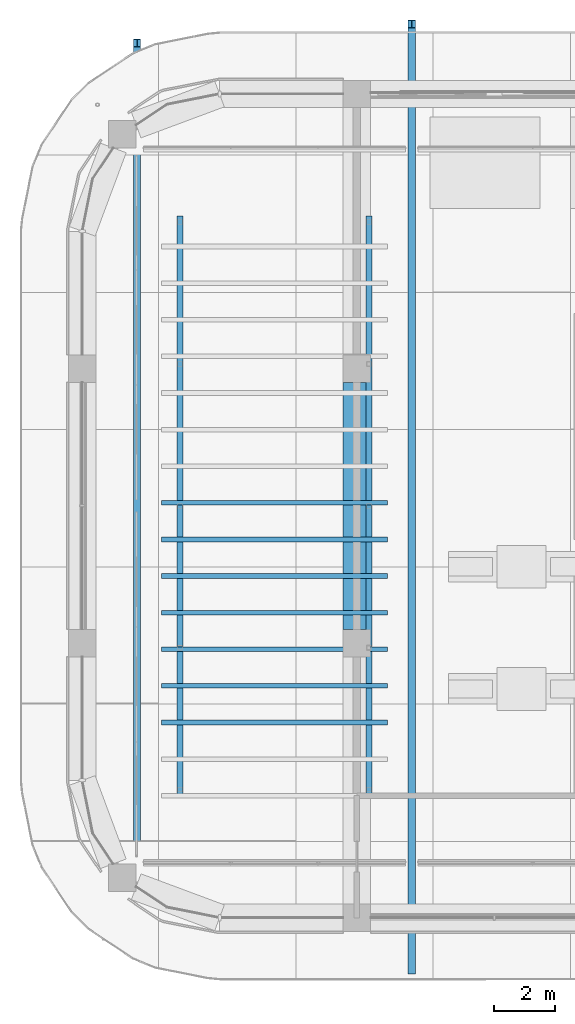
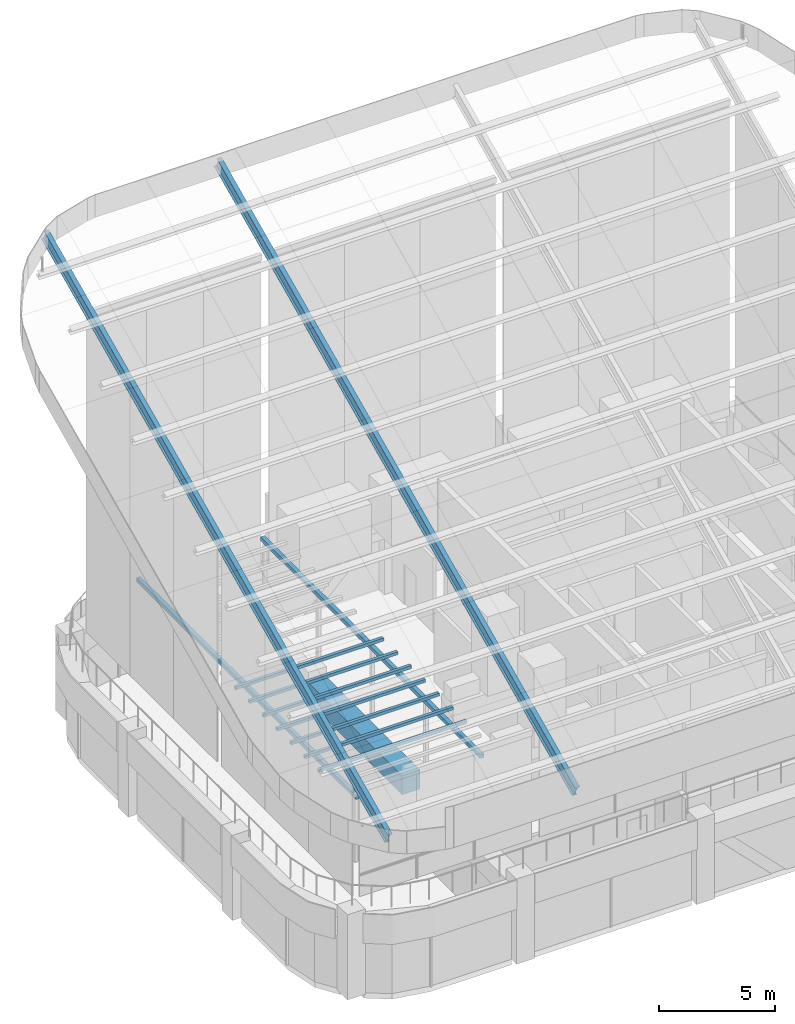
# One storey, part 8 of 31: 9 members, 3 beams.
"""IFC4 building model written with IfcOpenShell, lengths in metres."""

from ifc_helpers import new_model, si_unit, direction, frame, origin, origin_2d, place, context, subcontext, project, spatial, rectangle, hollow_rectangle, i_section, extrude, material, material_profile, profile_set, type_object, element, save


model = new_model("IFC4")

# Units and contexts
model_context = context("Model", 3, precision=1e-05, world=origin(), true_north=direction((0.0, 1.0)))
body_context = subcontext(model_context, "Body", "Model", "MODEL_VIEW")
ifc_project = project(units=[si_unit("LENGTHUNIT", "METRE"), si_unit("AREAUNIT", "SQUARE_METRE"), si_unit("VOLUMEUNIT", "CUBIC_METRE"), si_unit("PLANEANGLEUNIT", "RADIAN"), si_unit("MASSUNIT", "GRAM", prefix="KILO")], contexts=[model_context])

# Site, building, storey
site_placement = place(None, origin())
site = spatial("IfcSite", under=ifc_project, at=site_placement, CompositionType="ELEMENT")
building_placement = place(site_placement, origin())
building = spatial("IfcBuilding", under=site, at=building_placement, Name="Tessera Arch", CompositionType="ELEMENT")
storey_placement = place(building_placement, frame((0.0, 0.0, 320.699951171875)))
storey = spatial("IfcBuildingStorey", under=building, at=storey_placement, Name="L77", CompositionType="ELEMENT", Elevation=320.699951171875)

# Members
ifc_material_1 = material(Name="Steel A992 Gr50", Category="steel")
ifc_material_profile_1 = material_profile(ifc_material_1, i_section(OverallWidth=0.230224609375, OverallDepth=0.617431640625, WebThickness=0.01318359375, FlangeThickness=0.022216796875, at=origin_2d()), Name="W24x94")
ifc_profile_set_1 = profile_set([ifc_material_profile_1], Name="Steel A992 Gr50")
member_type_1 = type_object("IfcMemberType", Name="Canopy rib W24x94", PredefinedType="RAFTER", material=ifc_profile_set_1)
member_1_placement = place(storey_placement, frame((19.800048828125, 25.918701171875, 9.404296875), z_axis=(0.0, 0.906306982386, 0.422619987314), x_axis=(-1.0, 0.0, 0.0)))
element("IfcMember", 1, at=member_1_placement, inside=storey, type_object=member_type_1, Name="Canopy rib 1", PredefinedType="RAFTER", context=body_context, shape_type="SweptSolid", body=[
    extrude(i_section(OverallWidth=0.230224609375, OverallDepth=0.617431640625, WebThickness=0.01318359375, FlangeThickness=0.022216796875, at=origin_2d()), origin(), (0.0, 0.0, 1.0), 32.826904296875),
])
member_2_placement = place(storey_placement, frame((28.800048828125, 25.29443359375, 9.11328125), z_axis=(0.0, 0.906307462258, 0.422618958231), x_axis=(-1.0, 0.0, 0.0)))
element("IfcMember", 2, at=member_2_placement, inside=storey, type_object=member_type_1, Name="Canopy rib 2", PredefinedType="RAFTER", context=body_context, shape_type="SweptSolid", body=[
    extrude(i_section(OverallWidth=0.230224609375, OverallDepth=0.617431640625, WebThickness=0.01318359375, FlangeThickness=0.022216796875, at=origin_2d()), origin(), (0.0, 0.0, 1.0), 34.204833984375),
])

# Beams
ifc_material_2 = material(Name="Steel A500 Gr C", Category="steel")
ifc_material_profile_2 = material_profile(ifc_material_2, hollow_rectangle(XDim=0.203125, YDim=0.203125, WallThickness=0.0087890625, at=origin_2d()), Name="HSS8x8x3/8")
ifc_profile_set_2 = profile_set([ifc_material_profile_2], Name="Steel A500 Gr C")
beam_type_1 = type_object("IfcBeamType", Name="Pergola beam HSS8x8x3/8", PredefinedType="BEAM", material=ifc_profile_set_2)
for number, where, z_axis, x_axis, name in (
    (3, (21.199951171875, 31.0, 8.001708984375), (0.0, 1.0, 0.0), (-1.0, 0.0, 0.0), "Pergola beam 1"),
    (4, (27.39990234375, 31.0, 8.001708984375), (0.0, 1.0, 0.0), (-1.0, 0.0, 0.0), "Pergola beam 2"),
):
    element("IfcBeam", number, at=place(storey_placement, frame(where, z_axis=z_axis, x_axis=x_axis)), inside=storey, type_object=beam_type_1, Name=name, PredefinedType="BEAM", context=body_context, shape_type="SweptSolid", body=[
        extrude(hollow_rectangle(XDim=0.203125, YDim=0.203125, WallThickness=0.0087890625, at=origin_2d()), origin(), (0.0, 0.0, 1.0), 19.0),
    ])

# Members
ifc_material_3 = material(Name="Steel A500 Gr C", Category="steel")
ifc_material_profile_3 = material_profile(ifc_material_3, hollow_rectangle(XDim=0.15234375, YDim=0.15234375, WallThickness=0.005859375, at=origin_2d()), Name="HSS6x6x1/4")
ifc_profile_set_3 = profile_set([ifc_material_profile_3], Name="Steel A500 Gr C")
member_type_2 = type_object("IfcMemberType", Name="Pergola rafter HSS6x6x1/4", PredefinedType="RAFTER", material=ifc_profile_set_3)
for number, where, z_axis, x_axis, name in (
    (5, (20.60009765625, 33.39990234375, 8.179443359375), (1.0, 0.0, 0.0), (0.0, 1.0, 0.0), "Pergola rafter 3"),
    (6, (20.60009765625, 34.60009765625, 8.179443359375), (1.0, 0.0, 0.0), (0.0, 1.0, 0.0), "Pergola rafter 4"),
    (7, (20.60009765625, 35.800048828125, 8.179443359375), (1.0, 0.0, 0.0), (0.0, 1.0, 0.0), "Pergola rafter 5"),
    (8, (20.60009765625, 37.0, 8.179443359375), (1.0, 0.0, 0.0), (0.0, 1.0, 0.0), "Pergola rafter 6"),
    (9, (20.60009765625, 38.199951171875, 8.179443359375), (1.0, 0.0, 0.0), (0.0, 1.0, 0.0), "Pergola rafter 7"),
    (10, (20.60009765625, 39.39990234375, 8.179443359375), (1.0, 0.0, 0.0), (0.0, 1.0, 0.0), "Pergola rafter 8"),
    (11, (20.60009765625, 40.60009765625, 8.179443359375), (1.0, 0.0, 0.0), (0.0, 1.0, 0.0), "Pergola rafter 9"),
):
    element("IfcMember", number, at=place(storey_placement, frame(where, z_axis=z_axis, x_axis=x_axis)), inside=storey, type_object=member_type_2, Name=name, PredefinedType="RAFTER", context=body_context, shape_type="SweptSolid", body=[
        extrude(hollow_rectangle(XDim=0.15234375, YDim=0.15234375, WallThickness=0.005859375, at=origin_2d()), origin(), (0.0, 0.0, 1.0), 7.39990234375),
    ])

# Beam
ifc_material_4 = material(Name="Concrete C50/60", Category="concrete")
ifc_material_profile_4 = material_profile(ifc_material_4, rectangle(XDim=0.89990234375, YDim=1.0, at=origin_2d()), Name="RC spandrel beam 900 x 1000 Concrete C50/60")
ifc_profile_set_4 = profile_set([ifc_material_profile_4], Name="Concrete C50/60")
beam_type_2 = type_object("IfcBeamType", Name="RC spandrel beam 900 x 1000 Concrete C50/60", PredefinedType="BEAM", material=ifc_profile_set_4)
beam_placement = place(storey_placement, frame((27.0, 36.449951171875, 3.449951171875), z_axis=(0.0, 1.0, 0.0), x_axis=(-1.0, 0.0, 0.0)))
element("IfcBeam", 12, at=beam_placement, inside=storey, type_object=beam_type_2, Name="Interface beam L77 I0C4E-C4F", PredefinedType="BEAM", context=body_context, shape_type="SweptSolid", body=[
    extrude(rectangle(XDim=0.89990234375, YDim=1.0, at=origin_2d()), origin(), (0.0, 0.0, 1.0), 8.10009765625),
])

save(model, "model.ifc")
